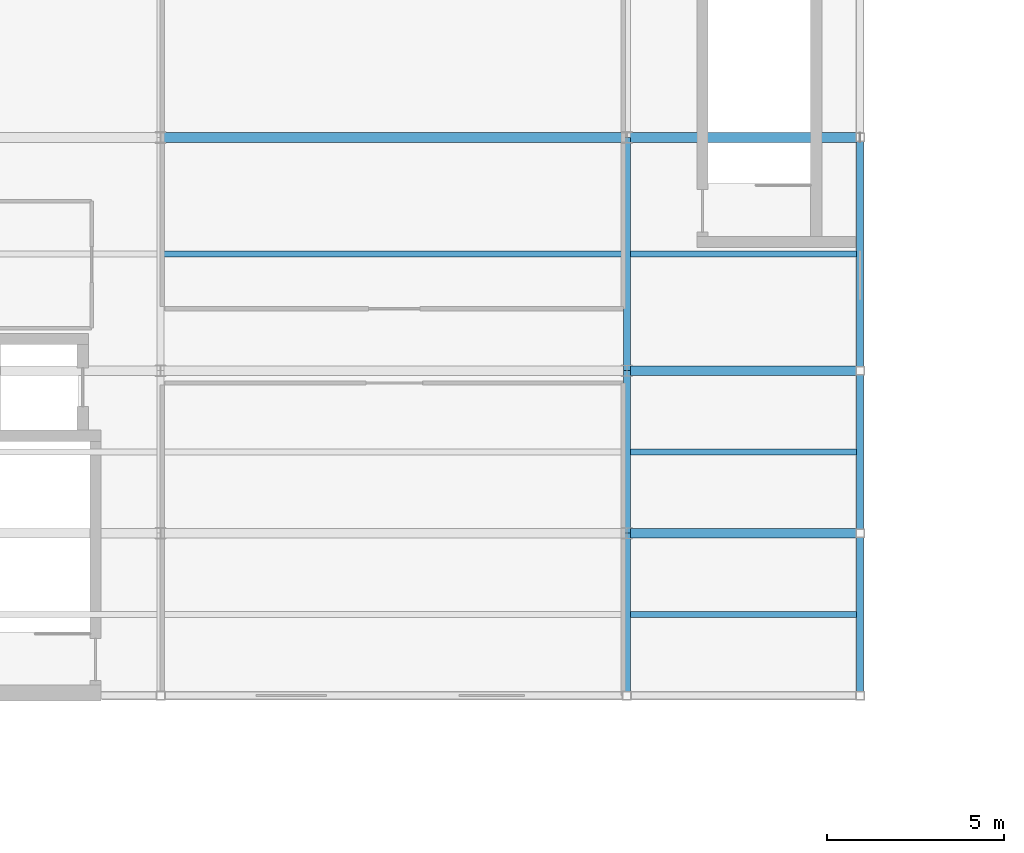
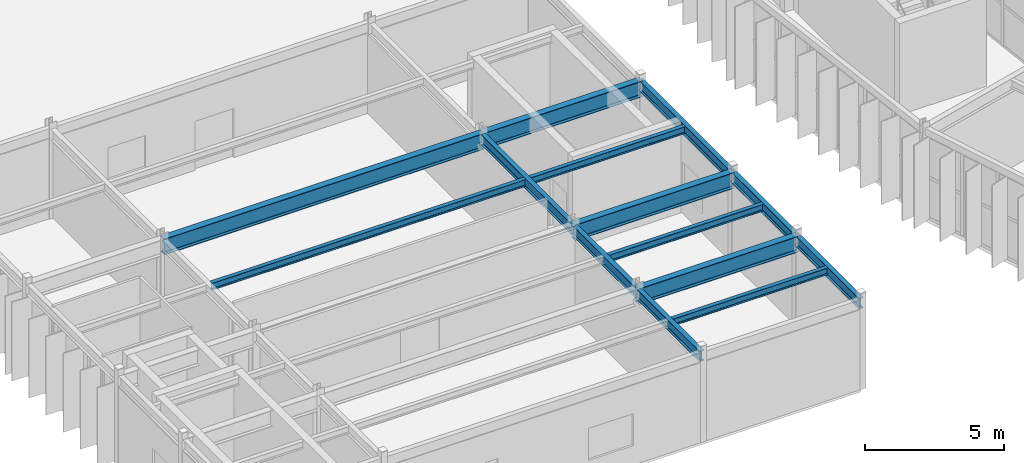
# One storey, part 32 of 130: 14 beams.
"""IFC4 building model written with IfcOpenShell, lengths in metres."""

from ifc_helpers import new_model, si_unit, direction, frame, origin, origin_2d, place, context, subcontext, project, spatial, i_section, extrude, material, material_profile, profile_set, type_object, element, save


model = new_model("IFC4")

# Units and contexts
model_context = context("Model", 3, precision=1e-05, world=origin(), true_north=direction((0.0, 1.0)))
body_context = subcontext(model_context, "Body", "Model", "MODEL_VIEW")
ifc_project = project(units=[si_unit("LENGTHUNIT", "METRE"), si_unit("AREAUNIT", "SQUARE_METRE"), si_unit("VOLUMEUNIT", "CUBIC_METRE"), si_unit("PLANEANGLEUNIT", "RADIAN"), si_unit("MASSUNIT", "GRAM", prefix="KILO")], contexts=[model_context])

# Site, building, storey
site_placement = place(None, origin())
site = spatial("IfcSite", under=ifc_project, at=site_placement, CompositionType="ELEMENT")
building_placement = place(site_placement, origin())
building = spatial("IfcBuilding", under=site, at=building_placement, Name="Karori Crest Natural Sciences Institute", CompositionType="ELEMENT")
storey_placement = place(building_placement, frame((0.0, 0.0, 17.5)))
storey = spatial("IfcBuildingStorey", under=building, at=storey_placement, Name="L04", CompositionType="ELEMENT", Elevation=17.5)

# Beams
ifc_material = material(Name="Structural steel AS/NZS 3679.1 Grade 350", Category="steel")
ifc_material_profile_1 = material_profile(ifc_material, i_section(OverallWidth=0.27490234375, OverallDepth=0.699951171875, WebThickness=0.010009765625, FlangeThickness=0.02001953125, FilletRadius=0.013916015625, at=origin_2d()), Name="700WB150")
ifc_profile_set_1 = profile_set([ifc_material_profile_1], Name="Structural steel AS/NZS 3679.1 Grade 350")
beam_type_1 = type_object("IfcBeamType", Name="BT-03", PredefinedType="BEAM", material=ifc_profile_set_1)
for number, where, z_axis, x_axis, name in (
    (1, (20.60009765625, 35.800048828125, 3.570068359375), (1.0, 0.0, 0.0), (0.0, 1.0, 0.0), "Beam B-1212"),
    (2, (20.60009765625, 40.39990234375, 3.570068359375), (1.0, 0.0, 0.0), (0.0, 1.0, 0.0), "Beam B-1215"),
):
    element("IfcBeam", number, at=place(storey_placement, frame(where, z_axis=z_axis, x_axis=x_axis)), inside=storey, type_object=beam_type_1, Name=name, PredefinedType="BEAM", context=body_context, shape_type="SweptSolid", body=[
        extrude(i_section(OverallWidth=0.27490234375, OverallDepth=0.699951171875, WebThickness=0.010009765625, FlangeThickness=0.02001953125, FilletRadius=0.013916015625, at=origin_2d()), origin(), (0.0, 0.0, 1.0), 6.599853515625),
    ])
beam_1_placement = place(storey_placement, frame((7.39990234375, 47.0, 3.570068359375), z_axis=(1.0, 0.0, 0.0), x_axis=(0.0, 1.0, 0.0)))
element("IfcBeam", 3, at=beam_1_placement, inside=storey, type_object=beam_type_1, Name="Beam B-1217", PredefinedType="BEAM", context=body_context, shape_type="SweptSolid", body=[
    extrude(i_section(OverallWidth=0.27490234375, OverallDepth=0.699951171875, WebThickness=0.010009765625, FlangeThickness=0.02001953125, FilletRadius=0.013916015625, at=origin_2d()), origin(), (0.0, 0.0, 1.0), 13.2001953125),
])
beam_2_placement = place(storey_placement, frame((20.60009765625, 47.0, 3.570068359375), z_axis=(1.0, 0.0, 0.0), x_axis=(0.0, 1.0, 0.0)))
element("IfcBeam", 4, at=beam_2_placement, inside=storey, type_object=beam_type_1, Name="Beam B-1218", PredefinedType="BEAM", context=body_context, shape_type="SweptSolid", body=[
    extrude(i_section(OverallWidth=0.27490234375, OverallDepth=0.699951171875, WebThickness=0.010009765625, FlangeThickness=0.02001953125, FilletRadius=0.013916015625, at=origin_2d()), origin(), (0.0, 0.0, 1.0), 6.599853515625),
])
ifc_material_profile_2 = material_profile(ifc_material, i_section(OverallWidth=0.19091796875, OverallDepth=0.4599609375, WebThickness=0.010009765625, FlangeThickness=0.01611328125, FilletRadius=0.010986328125, at=origin_2d()), Name="460UB82.1")
ifc_profile_set_2 = profile_set([ifc_material_profile_2], Name="Structural steel AS/NZS 3679.1 Grade 350")
beam_type_2 = type_object("IfcBeamType", Name="BT-06", PredefinedType="BEAM", material=ifc_profile_set_2)
beam_3_placement = place(storey_placement, frame((20.60009765625, 31.199951171875, 3.68994140625), z_axis=(0.0, 1.0, 0.0), x_axis=(-1.0, 0.0, 0.0)))
element("IfcBeam", 5, at=beam_3_placement, inside=storey, type_object=beam_type_2, Name="Beam B-1230", PredefinedType="BEAM", context=body_context, shape_type="SweptSolid", body=[
    extrude(i_section(OverallWidth=0.19091796875, OverallDepth=0.4599609375, WebThickness=0.010009765625, FlangeThickness=0.01611328125, FilletRadius=0.010986328125, at=origin_2d()), origin(), (0.0, 0.0, 1.0), 4.60009765625),
])
beam_4_placement = place(storey_placement, frame((20.60009765625, 35.800048828125, 3.68994140625), z_axis=(0.0, 1.0, 0.0), x_axis=(-1.0, 0.0, 0.0)))
element("IfcBeam", 6, at=beam_4_placement, inside=storey, type_object=beam_type_2, Name="Beam B-1231", PredefinedType="BEAM", context=body_context, shape_type="SweptSolid", body=[
    extrude(i_section(OverallWidth=0.19091796875, OverallDepth=0.4599609375, WebThickness=0.010009765625, FlangeThickness=0.01611328125, FilletRadius=0.010986328125, at=origin_2d()), origin(), (0.0, 0.0, 1.0), 4.599853515625),
])
beam_5_placement = place(storey_placement, frame((20.60009765625, 40.39990234375, 3.68994140625), z_axis=(0.0, 1.0, 0.0), x_axis=(-1.0, 0.0, 0.0)))
element("IfcBeam", 7, at=beam_5_placement, inside=storey, type_object=beam_type_2, Name="Beam B-1232", PredefinedType="BEAM", context=body_context, shape_type="SweptSolid", body=[
    extrude(i_section(OverallWidth=0.19091796875, OverallDepth=0.4599609375, WebThickness=0.010009765625, FlangeThickness=0.01611328125, FilletRadius=0.010986328125, at=origin_2d()), origin(), (0.0, 0.0, 1.0), 6.60009765625),
])
ifc_material_profile_3 = material_profile(ifc_material, i_section(OverallWidth=0.19091796875, OverallDepth=0.4599609375, WebThickness=0.010009765625, FlangeThickness=0.01611328125, FilletRadius=0.010986328125, at=origin_2d()), Name="460UB82.1")
ifc_profile_set_3 = profile_set([ifc_material_profile_3], Name="Structural steel AS/NZS 3679.1 Grade 350")
beam_type_3 = type_object("IfcBeamType", Name="BT-06-EL", PredefinedType="BEAM", material=ifc_profile_set_3)
beam_6_placement = place(storey_placement, frame((27.199951171875, 31.199951171875, 3.68994140625), z_axis=(0.0, 1.0, 0.0), x_axis=(-1.0, 0.0, 0.0)))
element("IfcBeam", 8, at=beam_6_placement, inside=storey, type_object=beam_type_3, Name="Beam B-1234", PredefinedType="BEAM", context=body_context, shape_type="SweptSolid", body=[
    extrude(i_section(OverallWidth=0.19091796875, OverallDepth=0.4599609375, WebThickness=0.010009765625, FlangeThickness=0.01611328125, FilletRadius=0.010986328125, at=origin_2d()), origin(), (0.0, 0.0, 1.0), 4.60009765625),
])
beam_7_placement = place(storey_placement, frame((27.199951171875, 35.800048828125, 3.68994140625), z_axis=(0.0, 1.0, 0.0), x_axis=(-1.0, 0.0, 0.0)))
element("IfcBeam", 9, at=beam_7_placement, inside=storey, type_object=beam_type_3, Name="Beam B-1235", PredefinedType="BEAM", context=body_context, shape_type="SweptSolid", body=[
    extrude(i_section(OverallWidth=0.19091796875, OverallDepth=0.4599609375, WebThickness=0.010009765625, FlangeThickness=0.01611328125, FilletRadius=0.010986328125, at=origin_2d()), origin(), (0.0, 0.0, 1.0), 4.599853515625),
])
beam_8_placement = place(storey_placement, frame((27.199951171875, 40.39990234375, 3.68994140625), z_axis=(0.0, 1.0, 0.0), x_axis=(-1.0, 0.0, 0.0)))
element("IfcBeam", 10, at=beam_8_placement, inside=storey, type_object=beam_type_3, Name="Beam B-1236", PredefinedType="BEAM", context=body_context, shape_type="SweptSolid", body=[
    extrude(i_section(OverallWidth=0.19091796875, OverallDepth=0.4599609375, WebThickness=0.010009765625, FlangeThickness=0.01611328125, FilletRadius=0.010986328125, at=origin_2d()), origin(), (0.0, 0.0, 1.0), 6.60009765625),
])
ifc_material_profile_4 = material_profile(ifc_material, i_section(OverallWidth=0.166015625, OverallDepth=0.306884765625, WebThickness=0.006591796875, FlangeThickness=0.01171875, FilletRadius=0.010986328125, at=origin_2d()), Name="310UB46.2")
ifc_profile_set_4 = profile_set([ifc_material_profile_4], Name="Structural steel AS/NZS 3679.1 Grade 350")
beam_type_4 = type_object("IfcBeamType", Name="BT-09", PredefinedType="BEAM", material=ifc_profile_set_4)
beam_9_placement = place(storey_placement, frame((7.49560546875, 43.699951171875, 3.7666015625), z_axis=(1.0, 0.0, 0.0), x_axis=(0.0, 1.0, 0.0)))
element("IfcBeam", 11, at=beam_9_placement, inside=storey, type_object=beam_type_4, Name="Beam B-1244", PredefinedType="BEAM", context=body_context, shape_type="SweptSolid", body=[
    extrude(i_section(OverallWidth=0.166015625, OverallDepth=0.306884765625, WebThickness=0.006591796875, FlangeThickness=0.01171875, FilletRadius=0.010986328125, at=origin_2d()), origin(), (0.0, 0.0, 1.0), 13.0087890625),
])
for number, where, z_axis, x_axis, name in (
    (12, (20.695556640625, 33.5, 3.7666015625), (1.0, 0.0, 0.0), (0.0, 1.0, 0.0), "Beam B-1246"),
    (13, (20.695556640625, 38.10009765625, 3.7666015625), (1.0, 0.0, 0.0), (0.0, 1.0, 0.0), "Beam B-1247"),
    (14, (20.695556640625, 43.699951171875, 3.7666015625), (1.0, 0.0, 0.0), (0.0, 1.0, 0.0), "Beam B-1248"),
):
    element("IfcBeam", number, at=place(storey_placement, frame(where, z_axis=z_axis, x_axis=x_axis)), inside=storey, type_object=beam_type_4, Name=name, PredefinedType="BEAM", context=body_context, shape_type="SweptSolid", body=[
        extrude(i_section(OverallWidth=0.166015625, OverallDepth=0.306884765625, WebThickness=0.006591796875, FlangeThickness=0.01171875, FilletRadius=0.010986328125, at=origin_2d()), origin(), (0.0, 0.0, 1.0), 6.408935546875),
    ])

save(model, "model.ifc")
